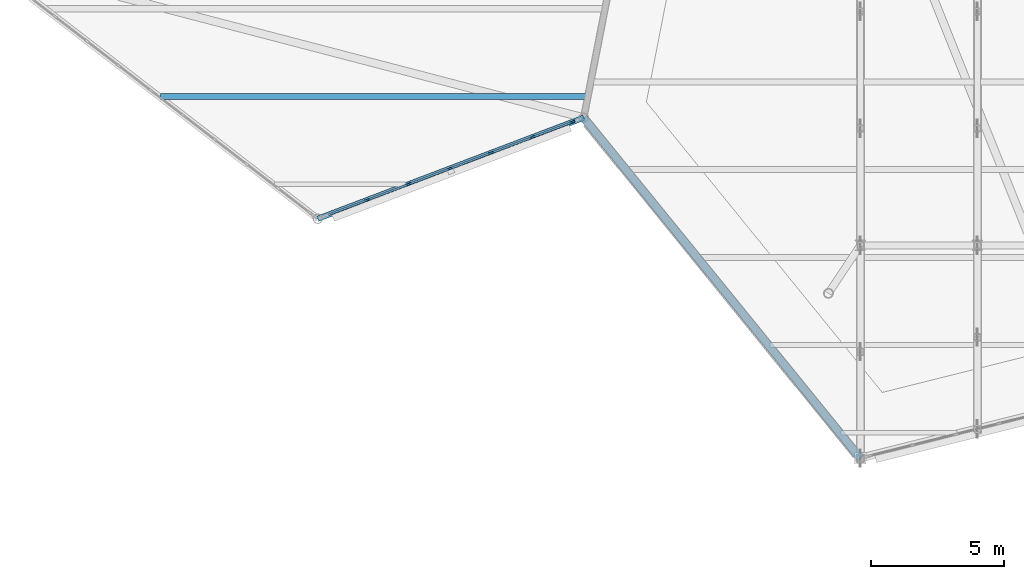
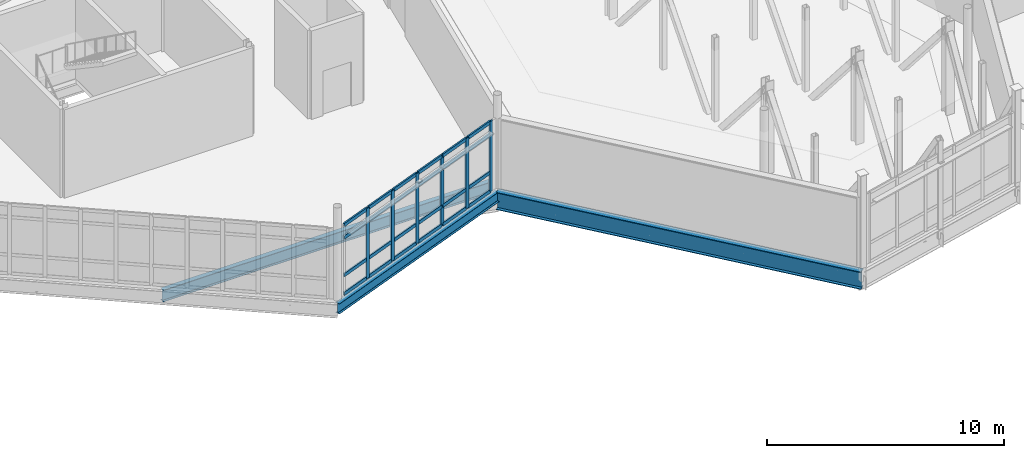
# One storey, part 33 of 114: 30 members, 3 beams, 1 element without a shape of its own.
"""IFC4 building model written with IfcOpenShell, lengths in metres."""

from ifc_helpers import new_model, si_unit, direction, frame, origin, origin_2d, place, context, subcontext, project, spatial, rectangle, i_section, extrude, material, material_profile, profile_set, type_object, element, aggregate, save


model = new_model("IFC4")

# Units and contexts
model_context = context("Model", 3, precision=1e-05, world=origin(), true_north=direction((0.0, 1.0)))
body_context = subcontext(model_context, "Body", "Model", "MODEL_VIEW")
ifc_project = project(units=[si_unit("LENGTHUNIT", "METRE"), si_unit("AREAUNIT", "SQUARE_METRE"), si_unit("VOLUMEUNIT", "CUBIC_METRE"), si_unit("PLANEANGLEUNIT", "RADIAN"), si_unit("MASSUNIT", "GRAM", prefix="KILO")], contexts=[model_context])

# Site, building, storey
site_placement = place(None, origin())
site = spatial("IfcSite", under=ifc_project, at=site_placement, CompositionType="ELEMENT")
building_placement = place(site_placement, origin())
building = spatial("IfcBuilding", under=site, at=building_placement, Name="Tameran Prism Museum", CompositionType="ELEMENT")
storey_placement = place(building_placement, frame((0.0, 0.0, 10.199951171875)))
storey = spatial("IfcBuildingStorey", under=building, at=storey_placement, Name="L02", CompositionType="ELEMENT", Elevation=10.199951171875)

# Beams
ifc_material_1 = material(Name="Steel Grade 300PLUS (300 MPa)", Category="steel")
ifc_material_profile_1 = material_profile(ifc_material_1, i_section(OverallWidth=0.208984375, OverallDepth=0.532958984375, WebThickness=0.01025390625, FlangeThickness=0.015625, FilletRadius=0.013916015625, at=origin_2d()))
ifc_profile_set_1 = profile_set([ifc_material_profile_1])
beam_type_1 = type_object("IfcBeamType", Name="BM-SP530A", PredefinedType="SPANDREL", material=ifc_profile_set_1)
beam_1_placement = place(storey_placement, frame((110.699951171875, 18.5, -0.486572265625), z_axis=(0.934782064974, 0.355221749056, 0.0), x_axis=(-0.355221749056, 0.934782064974, 0.0)))
element("IfcBeam", 1, at=beam_1_placement, inside=storey, type_object=beam_type_1, Name="Perimeter Spandrel SP-0695", PredefinedType="SPANDREL", context=body_context, shape_type="SweptSolid", body=[
    extrude(i_section(OverallWidth=0.208984375, OverallDepth=0.532958984375, WebThickness=0.01025390625, FlangeThickness=0.015625, FilletRadius=0.013916015625, at=origin_2d()), origin(), (0.0, 0.0, 1.0), 10.69775390625),
])
ifc_material_2 = material(Name="Steel Grade 300PLUS (300 MPa)", Category="steel")
ifc_material_profile_2 = material_profile(ifc_material_2, i_section(OverallWidth=0.22802734375, OverallDepth=0.60693359375, WebThickness=0.01123046875, FlangeThickness=0.017333984375, FilletRadius=0.013916015625, at=origin_2d()))
ifc_profile_set_2 = profile_set([ifc_material_profile_2])
beam_type_2 = type_object("IfcBeamType", Name="BM-UB610B", PredefinedType="BEAM", material=ifc_profile_set_2)
beam_2_placement = place(storey_placement, frame((104.7900390625, 23.10009765625, -0.5234375), z_axis=(1.0, 0.0, 0.0), x_axis=(0.0, 1.0, 0.0)))
element("IfcBeam", 2, at=beam_2_placement, inside=storey, type_object=beam_type_2, Name="Floor Beam BM-0873", PredefinedType="BEAM", context=body_context, shape_type="SweptSolid", body=[
    extrude(i_section(OverallWidth=0.22802734375, OverallDepth=0.60693359375, WebThickness=0.01123046875, FlangeThickness=0.017333984375, FilletRadius=0.013916015625, at=origin_2d()), origin(), (0.0, 0.0, 1.0), 16.02490234375),
])
ifc_material_3 = material(Name="Steel Grade 350 (350 MPa)", Category="steel")
ifc_material_profile_3 = material_profile(ifc_material_3, i_section(OverallWidth=0.300048828125, OverallDepth=0.89990234375, WebThickness=0.011962890625, FlangeThickness=0.030029296875, at=origin_2d()))
ifc_profile_set_3 = profile_set([ifc_material_profile_3])
beam_type_3 = type_object("IfcBeamType", Name="BM-WB900", PredefinedType="BEAM", material=ifc_profile_set_3)
beam_3_placement = place(storey_placement, frame((120.699951171875, 22.300048828125, -0.669921875), z_axis=(0.630596526134, -0.776110830505, 0.0), x_axis=(0.776110830505, 0.630596526134, 0.0)))
element("IfcBeam", 3, at=beam_3_placement, inside=storey, type_object=beam_type_3, Name="Perimeter Spandrel SP-0702", PredefinedType="BEAM", context=body_context, shape_type="SweptSolid", body=[
    extrude(i_section(OverallWidth=0.300048828125, OverallDepth=0.89990234375, WebThickness=0.011962890625, FlangeThickness=0.030029296875, at=origin_2d()), origin(), (0.0, 0.0, 1.0), 16.492431640625),
])

# Curtain wall, members
ifc_material_4 = material(Name="Anodised Aluminium 6063-T6 and Cyclone Solar Glass", Category="aluminium")
curtain_wall_type = type_object("IfcCurtainWallType", Name="CW-FAC-994x362", PredefinedType="USERDEFINED", material=ifc_material_4)
curtain_wall_placement = place(storey_placement, origin())
curtain_wall = element("IfcCurtainWall", 4, at=curtain_wall_placement, inside=storey, type_object=curtain_wall_type, Name="Unitised Curtain Wall CW-117", ObjectType="UNITISED CURTAIN WALL", PredefinedType="USERDEFINED")
ifc_material_5 = material(Name="Anodised Aluminium Alloy 6063-T6", Category="aluminium")
ifc_material_profile_4 = material_profile(ifc_material_5, rectangle(XDim=0.074951171875, YDim=0.199951171875, at=origin_2d()))
ifc_profile_set_4 = profile_set([ifc_material_profile_4])
member_type_1 = type_object("IfcMemberType", Name="CW-MUL-C", PredefinedType="MULLION", material=ifc_profile_set_4)
member_1_placement = place(storey_placement, frame((120.281982421875, 22.1416015625, 0.0), z_axis=(0.0, 0.0, 1.0), x_axis=(0.355288098442, -0.934756849189, 0.0)))
member_1 = element("IfcMember", 5, at=member_1_placement, type_object=member_type_1, Name="CW-117 mullion 1", PredefinedType="MULLION", context=body_context, shape_type="SweptSolid", body=[
    extrude(rectangle(XDim=0.074951171875, YDim=0.199951171875, at=origin_2d()), origin(), (0.0, 0.0, 1.0), 3.6201171875),
])
member_2_placement = place(storey_placement, frame((118.7685546875, 21.56640625, 0.0), z_axis=(0.0, 0.0, 1.0), x_axis=(0.355288098442, -0.934756849189, 0.0)))
member_2 = element("IfcMember", 6, at=member_2_placement, type_object=member_type_1, Name="CW-117 mullion 2", PredefinedType="MULLION", context=body_context, shape_type="SweptSolid", body=[
    extrude(rectangle(XDim=0.074951171875, YDim=0.199951171875, at=origin_2d()), origin(), (0.0, 0.0, 1.0), 3.6201171875),
])
member_3_placement = place(storey_placement, frame((117.22021484375, 20.97802734375, 0.0), z_axis=(0.0, 0.0, 1.0), x_axis=(0.355288098442, -0.934756849189, 0.0)))
member_3 = element("IfcMember", 7, at=member_3_placement, type_object=member_type_1, Name="CW-117 mullion 3", PredefinedType="MULLION", context=body_context, shape_type="SweptSolid", body=[
    extrude(rectangle(XDim=0.074951171875, YDim=0.199951171875, at=origin_2d()), origin(), (0.0, 0.0, 1.0), 3.6201171875),
])
member_4_placement = place(storey_placement, frame((115.672119140625, 20.389404296875, 0.0), z_axis=(0.0, 0.0, 1.0), x_axis=(0.355288098442, -0.934756849189, 0.0)))
member_4 = element("IfcMember", 8, at=member_4_placement, type_object=member_type_1, Name="CW-117 mullion 4", PredefinedType="MULLION", context=body_context, shape_type="SweptSolid", body=[
    extrude(rectangle(XDim=0.074951171875, YDim=0.199951171875, at=origin_2d()), origin(), (0.0, 0.0, 1.0), 3.6201171875),
])
member_5_placement = place(storey_placement, frame((114.123779296875, 19.801025390625, 0.0), z_axis=(0.0, 0.0, 1.0), x_axis=(0.355288098442, -0.934756849189, 0.0)))
member_5 = element("IfcMember", 9, at=member_5_placement, type_object=member_type_1, Name="CW-117 mullion 5", PredefinedType="MULLION", context=body_context, shape_type="SweptSolid", body=[
    extrude(rectangle(XDim=0.074951171875, YDim=0.199951171875, at=origin_2d()), origin(), (0.0, 0.0, 1.0), 3.6201171875),
])
member_6_placement = place(storey_placement, frame((112.575439453125, 19.21240234375, 0.0), z_axis=(0.0, 0.0, 1.0), x_axis=(0.355288098442, -0.934756849189, 0.0)))
member_6 = element("IfcMember", 10, at=member_6_placement, type_object=member_type_1, Name="CW-117 mullion 6", PredefinedType="MULLION", context=body_context, shape_type="SweptSolid", body=[
    extrude(rectangle(XDim=0.074951171875, YDim=0.199951171875, at=origin_2d()), origin(), (0.0, 0.0, 1.0), 3.6201171875),
])
ifc_material_6 = material(Name="Anodised Aluminium Alloy 6063-T6", Category="aluminium")
ifc_material_profile_5 = material_profile(ifc_material_6, rectangle(XDim=0.074951171875, YDim=0.175048828125, at=origin_2d()))
ifc_profile_set_5 = profile_set([ifc_material_profile_5])
member_type_2 = type_object("IfcMemberType", Name="CW-TRN-C", PredefinedType="USERDEFINED", material=ifc_profile_set_5)
member_7_placement = place(storey_placement, frame((120.246826171875, 22.12841796875, 0.03759765625), z_axis=(-0.934740516132, -0.355331067459, 0.0), x_axis=(0.355331067459, -0.934740516132, 0.0)))
member_7 = element("IfcMember", 11, at=member_7_placement, type_object=member_type_2, Name="CW-117 transom 1.1", ObjectType="TRANSOM", PredefinedType="USERDEFINED", context=body_context, shape_type="SweptSolid", body=[
    extrude(rectangle(XDim=0.074951171875, YDim=0.175048828125, at=origin_2d()), origin(), (0.0, 0.0, 1.0), 1.5439453125),
])
member_8_placement = place(storey_placement, frame((120.246826171875, 22.12841796875, 1.0), z_axis=(-0.934740516132, -0.355331067459, 0.0), x_axis=(0.355331067459, -0.934740516132, 0.0)))
member_8 = element("IfcMember", 12, at=member_8_placement, type_object=member_type_2, Name="CW-117 transom 1.2", ObjectType="TRANSOM", PredefinedType="USERDEFINED", context=body_context, shape_type="SweptSolid", body=[
    extrude(rectangle(XDim=0.074951171875, YDim=0.175048828125, at=origin_2d()), origin(), (0.0, 0.0, 1.0), 1.5439453125),
])
member_9_placement = place(storey_placement, frame((120.246826171875, 22.12841796875, 2.93994140625), z_axis=(-0.934740516132, -0.355331067459, 0.0), x_axis=(0.355331067459, -0.934740516132, 0.0)))
member_9 = element("IfcMember", 13, at=member_9_placement, type_object=member_type_2, Name="CW-117 transom 1.3", ObjectType="TRANSOM", PredefinedType="USERDEFINED", context=body_context, shape_type="SweptSolid", body=[
    extrude(rectangle(XDim=0.074951171875, YDim=0.175048828125, at=origin_2d()), origin(), (0.0, 0.0, 1.0), 1.5439453125),
])
member_10_placement = place(storey_placement, frame((120.246826171875, 22.12841796875, 3.58251953125), z_axis=(-0.934740516132, -0.355331067459, 0.0), x_axis=(0.355331067459, -0.934740516132, 0.0)))
member_10 = element("IfcMember", 14, at=member_10_placement, type_object=member_type_2, Name="CW-117 transom 1.4", ObjectType="TRANSOM", PredefinedType="USERDEFINED", context=body_context, shape_type="SweptSolid", body=[
    extrude(rectangle(XDim=0.074951171875, YDim=0.175048828125, at=origin_2d()), origin(), (0.0, 0.0, 1.0), 1.5439453125),
])
member_11_placement = place(storey_placement, frame((118.733642578125, 21.55322265625, 0.03759765625), z_axis=(-0.934727183088, -0.355366139631, 0.0), x_axis=(0.355366139631, -0.934727183088, 0.0)))
member_11 = element("IfcMember", 15, at=member_11_placement, type_object=member_type_2, Name="CW-117 transom 2.1", ObjectType="TRANSOM", PredefinedType="USERDEFINED", context=body_context, shape_type="SweptSolid", body=[
    extrude(rectangle(XDim=0.074951171875, YDim=0.175048828125, at=origin_2d()), origin(), (0.0, 0.0, 1.0), 1.58154296875),
])
member_12_placement = place(storey_placement, frame((118.733642578125, 21.55322265625, 1.0), z_axis=(-0.934727183088, -0.355366139631, 0.0), x_axis=(0.355366139631, -0.934727183088, 0.0)))
member_12 = element("IfcMember", 16, at=member_12_placement, type_object=member_type_2, Name="CW-117 transom 2.2", ObjectType="TRANSOM", PredefinedType="USERDEFINED", context=body_context, shape_type="SweptSolid", body=[
    extrude(rectangle(XDim=0.074951171875, YDim=0.175048828125, at=origin_2d()), origin(), (0.0, 0.0, 1.0), 1.58154296875),
])
member_13_placement = place(storey_placement, frame((118.733642578125, 21.55322265625, 2.93994140625), z_axis=(-0.934727183088, -0.355366139631, 0.0), x_axis=(0.355366139631, -0.934727183088, 0.0)))
member_13 = element("IfcMember", 17, at=member_13_placement, type_object=member_type_2, Name="CW-117 transom 2.3", ObjectType="TRANSOM", PredefinedType="USERDEFINED", context=body_context, shape_type="SweptSolid", body=[
    extrude(rectangle(XDim=0.074951171875, YDim=0.175048828125, at=origin_2d()), origin(), (0.0, 0.0, 1.0), 1.58154296875),
])
member_14_placement = place(storey_placement, frame((118.733642578125, 21.55322265625, 3.58251953125), z_axis=(-0.934727183088, -0.355366139631, 0.0), x_axis=(0.355366139631, -0.934727183088, 0.0)))
member_14 = element("IfcMember", 18, at=member_14_placement, type_object=member_type_2, Name="CW-117 transom 2.4", ObjectType="TRANSOM", PredefinedType="USERDEFINED", context=body_context, shape_type="SweptSolid", body=[
    extrude(rectangle(XDim=0.074951171875, YDim=0.175048828125, at=origin_2d()), origin(), (0.0, 0.0, 1.0), 1.58154296875),
])
member_15_placement = place(storey_placement, frame((117.185302734375, 20.964599609375, 0.03759765625), z_axis=(-0.934778454235, -0.355231250734, 0.0), x_axis=(0.355231250734, -0.934778454235, 0.0)))
member_15 = element("IfcMember", 19, at=member_15_placement, type_object=member_type_2, Name="CW-117 transom 3.1", ObjectType="TRANSOM", PredefinedType="USERDEFINED", context=body_context, shape_type="SweptSolid", body=[
    extrude(rectangle(XDim=0.074951171875, YDim=0.175048828125, at=origin_2d()), origin(), (0.0, 0.0, 1.0), 1.581298828125),
])
member_16_placement = place(storey_placement, frame((117.185302734375, 20.964599609375, 1.0), z_axis=(-0.934778454235, -0.355231250734, 0.0), x_axis=(0.355231250734, -0.934778454235, 0.0)))
member_16 = element("IfcMember", 20, at=member_16_placement, type_object=member_type_2, Name="CW-117 transom 3.2", ObjectType="TRANSOM", PredefinedType="USERDEFINED", context=body_context, shape_type="SweptSolid", body=[
    extrude(rectangle(XDim=0.074951171875, YDim=0.175048828125, at=origin_2d()), origin(), (0.0, 0.0, 1.0), 1.581298828125),
])
member_17_placement = place(storey_placement, frame((117.185302734375, 20.964599609375, 2.93994140625), z_axis=(-0.934778454235, -0.355231250734, 0.0), x_axis=(0.355231250734, -0.934778454235, 0.0)))
member_17 = element("IfcMember", 21, at=member_17_placement, type_object=member_type_2, Name="CW-117 transom 3.3", ObjectType="TRANSOM", PredefinedType="USERDEFINED", context=body_context, shape_type="SweptSolid", body=[
    extrude(rectangle(XDim=0.074951171875, YDim=0.175048828125, at=origin_2d()), origin(), (0.0, 0.0, 1.0), 1.581298828125),
])
member_18_placement = place(storey_placement, frame((117.185302734375, 20.964599609375, 3.58251953125), z_axis=(-0.934778454235, -0.355231250734, 0.0), x_axis=(0.355231250734, -0.934778454235, 0.0)))
member_18 = element("IfcMember", 22, at=member_18_placement, type_object=member_type_2, Name="CW-117 transom 3.4", ObjectType="TRANSOM", PredefinedType="USERDEFINED", context=body_context, shape_type="SweptSolid", body=[
    extrude(rectangle(XDim=0.074951171875, YDim=0.175048828125, at=origin_2d()), origin(), (0.0, 0.0, 1.0), 1.581298828125),
])
member_19_placement = place(storey_placement, frame((115.636962890625, 20.376220703125, 0.03759765625), z_axis=(-0.934727183088, -0.355366139631, 0.0), x_axis=(0.355366139631, -0.934727183088, 0.0)))
member_19 = element("IfcMember", 23, at=member_19_placement, type_object=member_type_2, Name="CW-117 transom 4.1", ObjectType="TRANSOM", PredefinedType="USERDEFINED", context=body_context, shape_type="SweptSolid", body=[
    extrude(rectangle(XDim=0.074951171875, YDim=0.175048828125, at=origin_2d()), origin(), (0.0, 0.0, 1.0), 1.58154296875),
])
member_20_placement = place(storey_placement, frame((115.636962890625, 20.376220703125, 1.0), z_axis=(-0.934727183088, -0.355366139631, 0.0), x_axis=(0.355366139631, -0.934727183088, 0.0)))
member_20 = element("IfcMember", 24, at=member_20_placement, type_object=member_type_2, Name="CW-117 transom 4.2", ObjectType="TRANSOM", PredefinedType="USERDEFINED", context=body_context, shape_type="SweptSolid", body=[
    extrude(rectangle(XDim=0.074951171875, YDim=0.175048828125, at=origin_2d()), origin(), (0.0, 0.0, 1.0), 1.58154296875),
])
member_21_placement = place(storey_placement, frame((115.636962890625, 20.376220703125, 2.93994140625), z_axis=(-0.934727183088, -0.355366139631, 0.0), x_axis=(0.355366139631, -0.934727183088, 0.0)))
member_21 = element("IfcMember", 25, at=member_21_placement, type_object=member_type_2, Name="CW-117 transom 4.3", ObjectType="TRANSOM", PredefinedType="USERDEFINED", context=body_context, shape_type="SweptSolid", body=[
    extrude(rectangle(XDim=0.074951171875, YDim=0.175048828125, at=origin_2d()), origin(), (0.0, 0.0, 1.0), 1.58154296875),
])
member_22_placement = place(storey_placement, frame((115.636962890625, 20.376220703125, 3.58251953125), z_axis=(-0.934727183088, -0.355366139631, 0.0), x_axis=(0.355366139631, -0.934727183088, 0.0)))
member_22 = element("IfcMember", 26, at=member_22_placement, type_object=member_type_2, Name="CW-117 transom 4.4", ObjectType="TRANSOM", PredefinedType="USERDEFINED", context=body_context, shape_type="SweptSolid", body=[
    extrude(rectangle(XDim=0.074951171875, YDim=0.175048828125, at=origin_2d()), origin(), (0.0, 0.0, 1.0), 1.58154296875),
])
member_23_placement = place(storey_placement, frame((114.088623046875, 19.78759765625, 0.03759765625), z_axis=(-0.934778454235, -0.355231250734, 0.0), x_axis=(0.355231250734, -0.934778454235, 0.0)))
member_23 = element("IfcMember", 27, at=member_23_placement, type_object=member_type_2, Name="CW-117 transom 5.1", ObjectType="TRANSOM", PredefinedType="USERDEFINED", context=body_context, shape_type="SweptSolid", body=[
    extrude(rectangle(XDim=0.074951171875, YDim=0.175048828125, at=origin_2d()), origin(), (0.0, 0.0, 1.0), 1.581298828125),
])
member_24_placement = place(storey_placement, frame((114.088623046875, 19.78759765625, 1.0), z_axis=(-0.934778454235, -0.355231250734, 0.0), x_axis=(0.355231250734, -0.934778454235, 0.0)))
member_24 = element("IfcMember", 28, at=member_24_placement, type_object=member_type_2, Name="CW-117 transom 5.2", ObjectType="TRANSOM", PredefinedType="USERDEFINED", context=body_context, shape_type="SweptSolid", body=[
    extrude(rectangle(XDim=0.074951171875, YDim=0.175048828125, at=origin_2d()), origin(), (0.0, 0.0, 1.0), 1.581298828125),
])
member_25_placement = place(storey_placement, frame((114.088623046875, 19.78759765625, 2.93994140625), z_axis=(-0.934778454235, -0.355231250734, 0.0), x_axis=(0.355231250734, -0.934778454235, 0.0)))
member_25 = element("IfcMember", 29, at=member_25_placement, type_object=member_type_2, Name="CW-117 transom 5.3", ObjectType="TRANSOM", PredefinedType="USERDEFINED", context=body_context, shape_type="SweptSolid", body=[
    extrude(rectangle(XDim=0.074951171875, YDim=0.175048828125, at=origin_2d()), origin(), (0.0, 0.0, 1.0), 1.581298828125),
])
member_26_placement = place(storey_placement, frame((114.088623046875, 19.78759765625, 3.58251953125), z_axis=(-0.934778454235, -0.355231250734, 0.0), x_axis=(0.355231250734, -0.934778454235, 0.0)))
member_26 = element("IfcMember", 30, at=member_26_placement, type_object=member_type_2, Name="CW-117 transom 5.4", ObjectType="TRANSOM", PredefinedType="USERDEFINED", context=body_context, shape_type="SweptSolid", body=[
    extrude(rectangle(XDim=0.074951171875, YDim=0.175048828125, at=origin_2d()), origin(), (0.0, 0.0, 1.0), 1.581298828125),
])
member_27_placement = place(storey_placement, frame((112.540283203125, 19.19921875, 0.03759765625), z_axis=(-0.934740516132, -0.355331067459, 0.0), x_axis=(0.355331067459, -0.934740516132, 0.0)))
member_27 = element("IfcMember", 31, at=member_27_placement, type_object=member_type_2, Name="CW-117 transom 6.1", ObjectType="TRANSOM", PredefinedType="USERDEFINED", context=body_context, shape_type="SweptSolid", body=[
    extrude(rectangle(XDim=0.074951171875, YDim=0.175048828125, at=origin_2d()), origin(), (0.0, 0.0, 1.0), 1.5439453125),
])
member_28_placement = place(storey_placement, frame((112.540283203125, 19.19921875, 1.0), z_axis=(-0.934740516132, -0.355331067459, 0.0), x_axis=(0.355331067459, -0.934740516132, 0.0)))
member_28 = element("IfcMember", 32, at=member_28_placement, type_object=member_type_2, Name="CW-117 transom 6.2", ObjectType="TRANSOM", PredefinedType="USERDEFINED", context=body_context, shape_type="SweptSolid", body=[
    extrude(rectangle(XDim=0.074951171875, YDim=0.175048828125, at=origin_2d()), origin(), (0.0, 0.0, 1.0), 1.5439453125),
])
member_29_placement = place(storey_placement, frame((112.540283203125, 19.19921875, 2.93994140625), z_axis=(-0.934740516132, -0.355331067459, 0.0), x_axis=(0.355331067459, -0.934740516132, 0.0)))
member_29 = element("IfcMember", 33, at=member_29_placement, type_object=member_type_2, Name="CW-117 transom 6.3", ObjectType="TRANSOM", PredefinedType="USERDEFINED", context=body_context, shape_type="SweptSolid", body=[
    extrude(rectangle(XDim=0.074951171875, YDim=0.175048828125, at=origin_2d()), origin(), (0.0, 0.0, 1.0), 1.5439453125),
])
member_30_placement = place(storey_placement, frame((112.540283203125, 19.19921875, 3.58251953125), z_axis=(-0.934740516132, -0.355331067459, 0.0), x_axis=(0.355331067459, -0.934740516132, 0.0)))
member_30 = element("IfcMember", 34, at=member_30_placement, type_object=member_type_2, Name="CW-117 transom 6.4", ObjectType="TRANSOM", PredefinedType="USERDEFINED", context=body_context, shape_type="SweptSolid", body=[
    extrude(rectangle(XDim=0.074951171875, YDim=0.175048828125, at=origin_2d()), origin(), (0.0, 0.0, 1.0), 1.5439453125),
])
aggregate(curtain_wall, [member_1, member_2, member_3, member_4, member_5, member_6, member_7, member_8, member_9, member_10, member_11, member_12, member_13, member_14, member_15, member_16, member_17, member_18, member_19, member_20, member_21, member_22, member_23, member_24, member_25, member_26, member_27, member_28, member_29, member_30])

save(model, "model.ifc")
